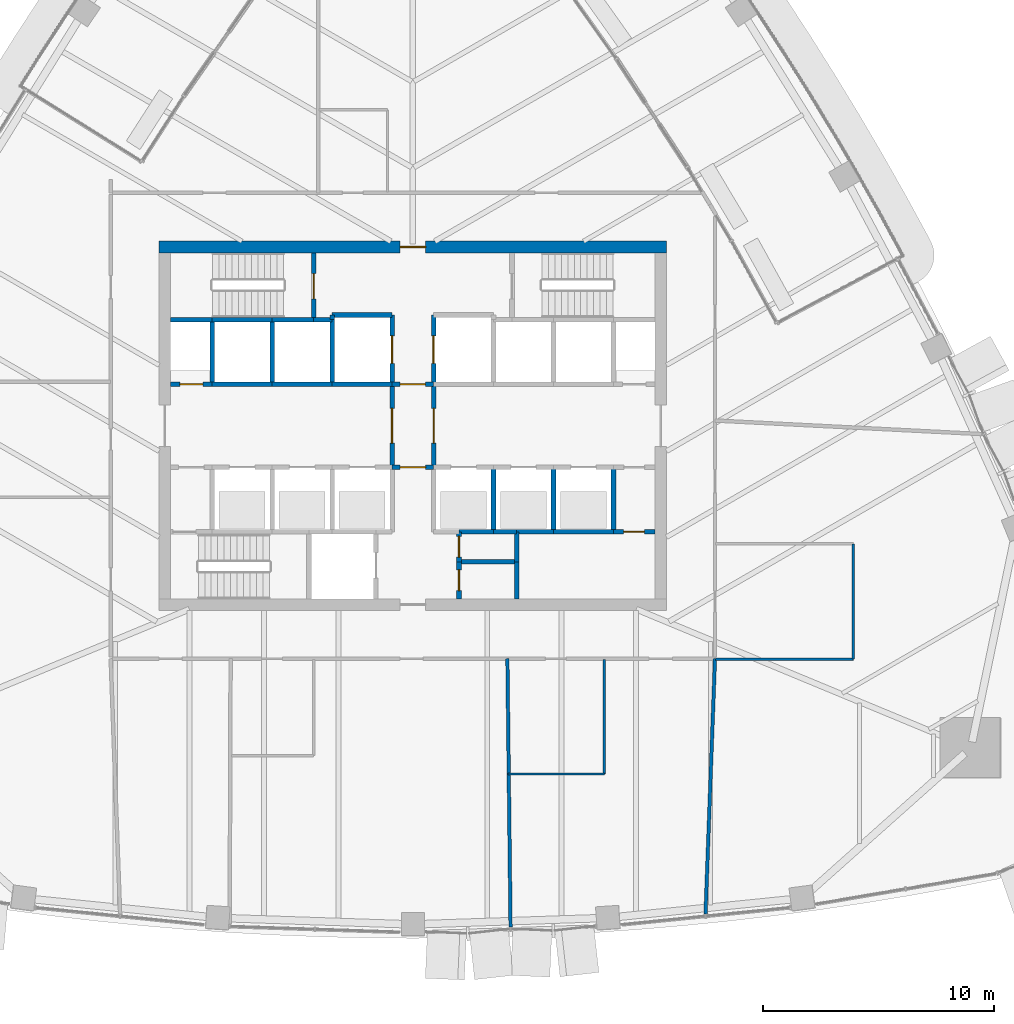
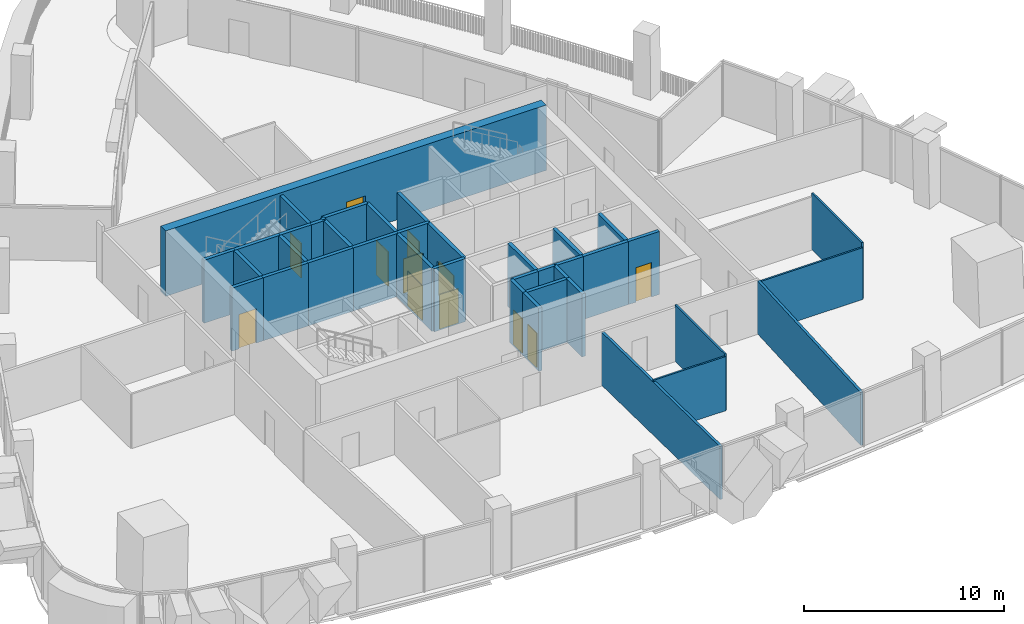
# One storey, part 14 of 21: 40 walls, 12 doors, 12 openings.
"""IFC4 building model written with IfcOpenShell, lengths in metres."""

from ifc_helpers import new_model, si_unit, direction, frame, frame_2d, origin, place, context, subcontext, project, spatial, rectangle, extrude, material, layer, layer_set, type_object, element, fill, save


model = new_model("IFC4")

# Units and contexts
model_context = context("Model", 3, precision=1e-05, world=origin(), true_north=direction((0.0, 1.0)))
body_context = subcontext(model_context, "Body", "Model", "MODEL_VIEW")
ifc_project = project(units=[si_unit("LENGTHUNIT", "METRE"), si_unit("AREAUNIT", "SQUARE_METRE"), si_unit("VOLUMEUNIT", "CUBIC_METRE"), si_unit("PLANEANGLEUNIT", "RADIAN"), si_unit("MASSUNIT", "GRAM", prefix="KILO")], contexts=[model_context])

# Site, building, storey
site_placement = place(None, origin())
site = spatial("IfcSite", under=ifc_project, at=site_placement, CompositionType="ELEMENT")
building_placement = place(site_placement, origin())
building = spatial("IfcBuilding", under=site, at=building_placement, Name="Sierra Prisma Convention Tower", CompositionType="ELEMENT")
storey_placement = place(building_placement, frame((0.0, 0.0, 157.800048828125)))
storey = spatial("IfcBuildingStorey", under=building, at=storey_placement, Name="L34", CompositionType="ELEMENT", Elevation=157.800048828125)

# Walls
ifc_material_1 = material(Name="Gypsum board partition", Category="gypsum")
ifc_layer_1 = layer(ifc_material_1, 0.10009765625)
ifc_layer_set_1 = layer_set([ifc_layer_1], Name="Bathroom partition 100")
wall_type_1 = type_object("IfcWallType", Name="Bathroom partition 100", PredefinedType="PARTITIONING", material=ifc_layer_set_1)
wall_1_placement = place(storey_placement, frame((8.300048828125, -10.1298828125, 0.0), z_axis=(0.0, 0.0, 1.0), x_axis=(0.0, -1.0, 0.0)))
element("IfcWall", 1, at=wall_1_placement, inside=storey, type_object=wall_type_1, Name="Partition L34 bath 7", PredefinedType="PARTITIONING", context=body_context, shape_type="SweptSolid", body=[
    extrude(rectangle(XDim=4.97021484375, YDim=0.10009765625, at=frame_2d((2.485107421875, 0.0))), origin(), (0.0, 0.0, 1.0), 3.449951171875),
])
wall_2_placement = place(storey_placement, frame((8.300048828125, -15.10009765625, 0.0), z_axis=(0.0, 0.0, 1.0), x_axis=(-1.0, 0.0, 0.0)))
element("IfcWall", 2, at=wall_2_placement, inside=storey, type_object=wall_type_1, Name="Partition L34 bath 8", PredefinedType="PARTITIONING", context=body_context, shape_type="SweptSolid", body=[
    extrude(rectangle(XDim=4.170166015625, YDim=0.10009765625, at=frame_2d((2.0849609375, 0.0))), origin(), (0.0, 0.0, 1.0), 3.31689453125),
])
wall_3_placement = place(storey_placement, frame((19.10009765625, -5.1201171875, 0.0), z_axis=(0.0, 0.0, 1.0), x_axis=(0.0, -1.0, 0.0)))
element("IfcWall", 3, at=wall_3_placement, inside=storey, type_object=wall_type_1, Name="Partition L34 bath 10", PredefinedType="PARTITIONING", context=body_context, shape_type="SweptSolid", body=[
    extrude(rectangle(XDim=5.0, YDim=0.10009765625, at=frame_2d((2.5, 0.0))), origin(), (0.0, 0.0, 1.0), 3.449951171875),
])
wall_4_placement = place(storey_placement, frame((19.10009765625, -10.1201171875, 0.0), z_axis=(0.0, 0.0, 1.0), x_axis=(-1.0, 0.0, 0.0)))
element("IfcWall", 4, at=wall_4_placement, inside=storey, type_object=wall_type_1, Name="Partition L34 bath 11", PredefinedType="PARTITIONING", context=body_context, shape_type="SweptSolid", body=[
    extrude(rectangle(XDim=5.97021484375, YDim=0.10009765625, at=frame_2d((2.985107421875, 0.0))), origin(), (0.0, 0.0, 1.0), 3.166015625),
])

# Wall, opening, door
ifc_material_2 = material(Name="Concrete C30/37", Category="concrete")
ifc_layer_2 = layer(ifc_material_2, 0.199951171875)
ifc_layer_set_2 = layer_set([ifc_layer_2], Name="Core wall RC 200 C30/37")
wall_type_2 = type_object("IfcWallType", Name="Core wall RC 200 C30/37", PredefinedType="SOLIDWALL", material=ifc_layer_set_2)
wall_5_placement = place(storey_placement, frame((-8.699951171875, 1.800048828125, 0.0), z_axis=(0.0, 0.0, 1.0), x_axis=(-1.0, 0.0, 0.0)))
wall_5 = element("IfcWall", 5, at=wall_5_placement, inside=storey, type_object=wall_type_2, Name="Core wall L34 3", PredefinedType="SOLIDWALL", context=body_context, shape_type="SweptSolid", body=[
    extrude(rectangle(XDim=1.800048828125, YDim=0.199951171875, at=frame_2d((0.89990234375, 0.0))), origin(), (0.0, 0.0, 1.0), 3.849853515625),
])
opening_1_placement = place(wall_5_placement, frame((0.39990234375, 0.0, 0.0)))
opening_1 = element("IfcOpeningElement", 6, at=opening_1_placement, cuts=wall_5, Name="Opening L34-D018", PredefinedType="OPENING", context=body_context, shape_type="SweptSolid", body=[
    extrude(rectangle(XDim=1.0, YDim=2.10009765625, at=frame_2d((0.5, 1.050048828125))), frame((0.0, 0.10009765625, 0.0), z_axis=(0.0, -1.0, 0.0), x_axis=(1.0, 0.0, 0.0)), (0.0, 0.0, 1.0), 0.199951171875),
])
ifc_material_3 = material(Name="Steel fire door leaf", Category="steel")
door_type_1 = type_object("IfcDoorType", Name="Door 1000x2100 FD60S", OperationType="SINGLE_SWING_LEFT", PredefinedType="DOOR", material=ifc_material_3)
door_1_placement = place(opening_1_placement, origin())
door_1 = element("IfcDoor", 7, at=door_1_placement, inside=storey, type_object=door_type_1, Name="Door L34 29", OperationType="SINGLE_SWING_LEFT", OverallHeight=2.10009765625, OverallWidth=1.0, PredefinedType="DOOR", context=body_context, shape_type="SweptSolid", body=[
    extrude(rectangle(XDim=1.0, YDim=2.10009765625, at=frame_2d((0.5, 1.050048828125))), frame((0.0, 0.02490234375, 0.0), z_axis=(0.0, -1.0, 0.0), x_axis=(1.0, 0.0, 0.0)), (0.0, 0.0, 1.0), 0.050048828125),
])
fill(opening_1, door_1)

# Walls
wall_6_placement = place(storey_placement, frame((-8.699951171875, 4.60009765625, 0.0), z_axis=(0.0, 0.0, 1.0), x_axis=(-1.0, 0.0, 0.0)))
element("IfcWall", 8, at=wall_6_placement, inside=storey, type_object=wall_type_2, Name="Core wall L34 4", PredefinedType="SOLIDWALL", context=body_context, shape_type="SweptSolid", body=[
    extrude(rectangle(XDim=1.800048828125, YDim=0.199951171875, at=frame_2d((0.89990234375, 0.0))), origin(), (0.0, 0.0, 1.0), 3.849853515625),
])
wall_7_placement = place(storey_placement, frame((-6.10009765625, 1.800048828125, 0.0), z_axis=(0.0, 0.0, 1.0), x_axis=(-1.0, 0.0, 0.0)))
element("IfcWall", 9, at=wall_7_placement, inside=storey, type_object=wall_type_2, Name="Core wall L34 8", PredefinedType="SOLIDWALL", context=body_context, shape_type="SweptSolid", body=[
    extrude(rectangle(XDim=2.599853515625, YDim=0.199951171875, at=frame_2d((1.2998046875, 0.0))), origin(), (0.0, 0.0, 1.0), 3.849853515625),
])
wall_8_placement = place(storey_placement, frame((-8.699951171875, 1.800048828125, 0.0), z_axis=(0.0, 0.0, 1.0), x_axis=(0.0, 1.0, 0.0)))
element("IfcWall", 10, at=wall_8_placement, inside=storey, type_object=wall_type_2, Name="Core wall L34 9", PredefinedType="SOLIDWALL", context=body_context, shape_type="SweptSolid", body=[
    extrude(rectangle(XDim=2.800048828125, YDim=0.199951171875, at=frame_2d((1.39990234375, 0.0))), origin(), (0.0, 0.0, 1.0), 3.849853515625),
])
wall_9_placement = place(storey_placement, frame((-6.10009765625, 4.60009765625, 0.0), z_axis=(0.0, 0.0, 1.0), x_axis=(-1.0, 0.0, 0.0)))
element("IfcWall", 11, at=wall_9_placement, inside=storey, type_object=wall_type_2, Name="Core wall L34 10", PredefinedType="SOLIDWALL", context=body_context, shape_type="SweptSolid", body=[
    extrude(rectangle(XDim=2.599853515625, YDim=0.199951171875, at=frame_2d((1.2998046875, 0.0))), origin(), (0.0, 0.0, 1.0), 3.849853515625),
])
wall_10_placement = place(storey_placement, frame((-3.5, 1.800048828125, 0.0), z_axis=(0.0, 0.0, 1.0), x_axis=(-1.0, 0.0, 0.0)))
element("IfcWall", 12, at=wall_10_placement, inside=storey, type_object=wall_type_2, Name="Core wall L34 14", PredefinedType="SOLIDWALL", context=body_context, shape_type="SweptSolid", body=[
    extrude(rectangle(XDim=2.60009765625, YDim=0.199951171875, at=frame_2d((1.300048828125, 0.0))), origin(), (0.0, 0.0, 1.0), 3.849853515625),
])
wall_11_placement = place(storey_placement, frame((-6.10009765625, 1.800048828125, 0.0), z_axis=(0.0, 0.0, 1.0), x_axis=(0.0, 1.0, 0.0)))
element("IfcWall", 13, at=wall_11_placement, inside=storey, type_object=wall_type_2, Name="Core wall L34 15", PredefinedType="SOLIDWALL", context=body_context, shape_type="SweptSolid", body=[
    extrude(rectangle(XDim=2.800048828125, YDim=0.199951171875, at=frame_2d((1.39990234375, 0.0))), origin(), (0.0, 0.0, 1.0), 3.849853515625),
])
wall_12_placement = place(storey_placement, frame((-4.300048828125, 4.60009765625, 0.0), z_axis=(0.0, 0.0, 1.0), x_axis=(-1.0, 0.0, 0.0)))
element("IfcWall", 14, at=wall_12_placement, inside=storey, type_object=wall_type_2, Name="Core wall L34 16", PredefinedType="SOLIDWALL", context=body_context, shape_type="SweptSolid", body=[
    extrude(rectangle(XDim=1.800048828125, YDim=0.199951171875, at=frame_2d((0.89990234375, 0.0))), origin(), (0.0, 0.0, 1.0), 3.849853515625),
])
wall_13_placement = place(storey_placement, frame((-3.5, 4.60009765625, 0.0), z_axis=(0.0, 0.0, 1.0), x_axis=(-1.0, 0.0, 0.0)))
element("IfcWall", 15, at=wall_13_placement, inside=storey, type_object=wall_type_2, Name="Core wall L34 19", PredefinedType="SOLIDWALL", context=body_context, shape_type="SweptSolid", body=[
    extrude(rectangle(XDim=0.800048828125, YDim=0.199951171875, at=frame_2d((0.39990234375, 0.0))), origin(), (0.0, 0.0, 1.0), 3.849853515625),
])

# Wall, opening, door
wall_14_placement = place(storey_placement, frame((-4.300048828125, 4.60009765625, 0.0), z_axis=(0.0, 0.0, 1.0), x_axis=(0.0, 1.0, 0.0)))
wall_14 = element("IfcWall", 16, at=wall_14_placement, inside=storey, type_object=wall_type_2, Name="Core wall L34 20", PredefinedType="SOLIDWALL", context=body_context, shape_type="SweptSolid", body=[
    extrude(rectangle(XDim=2.89990234375, YDim=0.199951171875, at=frame_2d((1.449951171875, 0.0))), origin(), (0.0, 0.0, 1.0), 3.849853515625),
])
opening_2_placement = place(wall_14_placement, frame((0.89990234375, 0.0, 0.0)))
opening_2 = element("IfcOpeningElement", 17, at=opening_2_placement, cuts=wall_14, Name="Opening L34-D021", PredefinedType="OPENING", context=body_context, shape_type="SweptSolid", body=[
    extrude(rectangle(XDim=1.10009765625, YDim=2.10009765625, at=frame_2d((0.550048828125, 1.050048828125))), frame((0.0, 0.10009765625, 0.0), z_axis=(0.0, -1.0, 0.0), x_axis=(1.0, 0.0, 0.0)), (0.0, 0.0, 1.0), 0.199951171875),
])
ifc_material_4 = material(Name="Steel fire door leaf", Category="steel")
door_type_2 = type_object("IfcDoorType", Name="Door 1100x2100 FD90S", OperationType="SINGLE_SWING_LEFT", PredefinedType="DOOR", material=ifc_material_4)
door_2_placement = place(opening_2_placement, origin())
door_2 = element("IfcDoor", 18, at=door_2_placement, inside=storey, type_object=door_type_2, Name="Door L34 32", OperationType="SINGLE_SWING_RIGHT", OverallHeight=2.10009765625, OverallWidth=1.10009765625, PredefinedType="DOOR", context=body_context, shape_type="SweptSolid", body=[
    extrude(rectangle(XDim=1.10009765625, YDim=2.10009765625, at=frame_2d((0.550048828125, 1.050048828125))), frame((0.0, 0.02490234375, 0.0), z_axis=(0.0, -1.0, 0.0), x_axis=(1.0, 0.0, 0.0)), (0.0, 0.0, 1.0), 0.050048828125),
])
fill(opening_2, door_2)

# Walls
wall_15_placement = place(storey_placement, frame((-0.89990234375, 1.800048828125, 0.0), z_axis=(0.0, 0.0, 1.0), x_axis=(-1.0, 0.0, 0.0)))
element("IfcWall", 19, at=wall_15_placement, inside=storey, type_object=wall_type_2, Name="Core wall L34 24", PredefinedType="SOLIDWALL", context=body_context, shape_type="SweptSolid", body=[
    extrude(rectangle(XDim=2.60009765625, YDim=0.199951171875, at=frame_2d((1.300048828125, 0.0))), origin(), (0.0, 0.0, 1.0), 3.849853515625),
])
wall_16_placement = place(storey_placement, frame((-3.5, 4.60009765625, 0.0), z_axis=(0.0, 0.0, 1.0), x_axis=(0.0, -1.0, 0.0)))
element("IfcWall", 20, at=wall_16_placement, inside=storey, type_object=wall_type_2, Name="Core wall L34 25", PredefinedType="SOLIDWALL", context=body_context, shape_type="SweptSolid", body=[
    extrude(rectangle(XDim=2.800048828125, YDim=0.199951171875, at=frame_2d((1.39990234375, 0.0))), origin(), (0.0, 0.0, 1.0), 3.849853515625),
])

# Wall, opening, door
wall_17_placement = place(storey_placement, frame((-0.89990234375, 1.800048828125, 0.0), z_axis=(0.0, 0.0, 1.0), x_axis=(0.0, 1.0, 0.0)))
wall_17 = element("IfcWall", 21, at=wall_17_placement, inside=storey, type_object=wall_type_2, Name="Core wall L34 26", PredefinedType="SOLIDWALL", context=body_context, shape_type="SweptSolid", body=[
    extrude(rectangle(XDim=3.0, YDim=0.199951171875, at=frame_2d((1.5, 0.0))), origin(), (0.0, 0.0, 1.0), 3.849853515625),
])
opening_3_placement = place(wall_17_placement, frame((0.89990234375, 0.0, 0.0)))
opening_3 = element("IfcOpeningElement", 22, at=opening_3_placement, cuts=wall_17, Name="Opening L34-D010", PredefinedType="OPENING", context=body_context, shape_type="SweptSolid", body=[
    extrude(rectangle(XDim=1.199951171875, YDim=2.10009765625, at=frame_2d((0.60009765625, 1.050048828125))), frame((0.0, 0.10009765625, 0.0), z_axis=(0.0, -1.0, 0.0), x_axis=(1.0, 0.0, 0.0)), (0.0, 0.0, 1.0), 0.199951171875),
])
ifc_material_5 = material(Name="Steel fire door leaf", Category="steel")
door_type_3 = type_object("IfcDoorType", Name="Door 1200x2100 EI 90 sliding lift landing", OperationType="SLIDING_TO_LEFT", PredefinedType="DOOR", material=ifc_material_5)
door_3_placement = place(opening_3_placement, origin())
door_3 = element("IfcDoor", 23, at=door_3_placement, inside=storey, type_object=door_type_3, Name="Door L34 21", OperationType="SLIDING_TO_LEFT", OverallHeight=2.10009765625, OverallWidth=1.199951171875, PredefinedType="DOOR", context=body_context, shape_type="SweptSolid", body=[
    extrude(rectangle(XDim=1.199951171875, YDim=2.10009765625, at=frame_2d((0.60009765625, 1.050048828125))), frame((0.0, 0.02490234375, 0.0), z_axis=(0.0, -1.0, 0.0), x_axis=(1.0, 0.0, 0.0)), (0.0, 0.0, 1.0), 0.050048828125),
])
fill(opening_3, door_3)

# Walls
wall_18_placement = place(storey_placement, frame((-0.89990234375, 4.800048828125, 0.0), z_axis=(0.0, 0.0, 1.0), x_axis=(-1.0, 0.0, 0.0)))
element("IfcWall", 24, at=wall_18_placement, inside=storey, type_object=wall_type_2, Name="Core wall L34 27", PredefinedType="SOLIDWALL", context=body_context, shape_type="SweptSolid", body=[
    extrude(rectangle(XDim=2.60009765625, YDim=0.199951171875, at=frame_2d((1.300048828125, 0.0))), origin(), (0.0, 0.0, 1.0), 3.849853515625),
])
wall_19_placement = place(storey_placement, frame((-3.5, 4.800048828125, 0.0), z_axis=(0.0, 0.0, 1.0), x_axis=(0.0, -1.0, 0.0)))
element("IfcWall", 25, at=wall_19_placement, inside=storey, type_object=wall_type_2, Name="Core wall L34 28", PredefinedType="SOLIDWALL", context=body_context, shape_type="SweptSolid", body=[
    extrude(rectangle(XDim=0.199951171875, YDim=0.199951171875, at=frame_2d((0.10009765625, 0.0))), origin(), (0.0, 0.0, 1.0), 3.849853515625),
])

# Wall, opening, door
wall_20_placement = place(storey_placement, frame((-0.89990234375, -1.800048828125, 0.0), z_axis=(0.0, 0.0, 1.0), x_axis=(1.0, 0.0, 0.0)))
wall_20 = element("IfcWall", 26, at=wall_20_placement, inside=storey, type_object=wall_type_2, Name="Core wall L34 32", PredefinedType="SOLIDWALL", context=body_context, shape_type="SweptSolid", body=[
    extrude(rectangle(XDim=1.7998046875, YDim=0.199951171875, at=frame_2d((0.89990234375, 0.0))), origin(), (0.0, 0.0, 1.0), 3.849853515625),
])
opening_4_placement = place(wall_20_placement, frame((0.35009765625, 0.0, 0.0)))
opening_4 = element("IfcOpeningElement", 27, at=opening_4_placement, cuts=wall_20, Name="Opening L34-D017", PredefinedType="OPENING", context=body_context, shape_type="SweptSolid", body=[
    extrude(rectangle(XDim=1.10009765625, YDim=2.10009765625, at=frame_2d((0.550048828125, 1.050048828125))), frame((0.0, 0.10009765625, 0.0), z_axis=(0.0, -1.0, 0.0), x_axis=(1.0, 0.0, 0.0)), (0.0, 0.0, 1.0), 0.199951171875),
])
ifc_material_6 = material(Name="Steel fire door leaf", Category="steel")
door_type_4 = type_object("IfcDoorType", Name="Door 1100x2100 FD30S", OperationType="SINGLE_SWING_LEFT", PredefinedType="DOOR", material=ifc_material_6)
door_4_placement = place(opening_4_placement, origin())
door_4 = element("IfcDoor", 28, at=door_4_placement, inside=storey, type_object=door_type_4, Name="Door L34 28", OperationType="SINGLE_SWING_RIGHT", OverallHeight=2.10009765625, OverallWidth=1.10009765625, PredefinedType="DOOR", context=body_context, shape_type="SweptSolid", body=[
    extrude(rectangle(XDim=1.10009765625, YDim=2.10009765625, at=frame_2d((0.550048828125, 1.050048828125))), frame((0.0, 0.02490234375, 0.0), z_axis=(0.0, -1.0, 0.0), x_axis=(1.0, 0.0, 0.0)), (0.0, 0.0, 1.0), 0.050048828125),
])
fill(opening_4, door_4)

wall_21_placement = place(storey_placement, frame((-0.89990234375, 1.800048828125, 0.0), z_axis=(0.0, 0.0, 1.0), x_axis=(0.0, -1.0, 0.0)))
wall_21 = element("IfcWall", 29, at=wall_21_placement, inside=storey, type_object=wall_type_2, Name="Core wall L34 33", PredefinedType="SOLIDWALL", context=body_context, shape_type="SweptSolid", body=[
    extrude(rectangle(XDim=3.60009765625, YDim=0.199951171875, at=frame_2d((1.800048828125, 0.0))), origin(), (0.0, 0.0, 1.0), 3.849853515625),
])
opening_5_placement = place(wall_21_placement, frame((1.050048828125, 0.0, 0.0)))
opening_5 = element("IfcOpeningElement", 30, at=opening_5_placement, cuts=wall_21, Name="Opening L34-D013", PredefinedType="OPENING", context=body_context, shape_type="SweptSolid", body=[
    extrude(rectangle(XDim=1.5, YDim=2.10009765625, at=frame_2d((0.75, 1.050048828125))), frame((0.0, 0.10009765625, 0.0), z_axis=(0.0, -1.0, 0.0), x_axis=(1.0, 0.0, 0.0)), (0.0, 0.0, 1.0), 0.199951171875),
])
ifc_material_7 = material(Name="Steel fire door leaf", Category="steel")
door_type_5 = type_object("IfcDoorType", Name="Door 1500x2100 FD30S", OperationType="DOUBLE_DOOR_SINGLE_SWING", PredefinedType="DOOR", material=ifc_material_7)
door_5_placement = place(opening_5_placement, origin())
door_5 = element("IfcDoor", 31, at=door_5_placement, inside=storey, type_object=door_type_5, Name="Door L34 24", OperationType="DOUBLE_DOOR_SINGLE_SWING", OverallHeight=2.10009765625, OverallWidth=1.5, PredefinedType="DOOR", context=body_context, shape_type="SweptSolid", body=[
    extrude(rectangle(XDim=1.5, YDim=2.10009765625, at=frame_2d((0.75, 1.050048828125))), frame((0.0, 0.02490234375, 0.0), z_axis=(0.0, -1.0, 0.0), x_axis=(1.0, 0.0, 0.0)), (0.0, 0.0, 1.0), 0.050048828125),
])
fill(opening_5, door_5)

wall_22_placement = place(storey_placement, frame((0.89990234375, 1.800048828125, 0.0), z_axis=(0.0, 0.0, 1.0), x_axis=(-1.0, 0.0, 0.0)))
wall_22 = element("IfcWall", 32, at=wall_22_placement, inside=storey, type_object=wall_type_2, Name="Core wall L34 34", PredefinedType="SOLIDWALL", context=body_context, shape_type="SweptSolid", body=[
    extrude(rectangle(XDim=1.7998046875, YDim=0.199951171875, at=frame_2d((0.89990234375, 0.0))), origin(), (0.0, 0.0, 1.0), 3.849853515625),
])
opening_6_placement = place(wall_22_placement, frame((0.35009765625, 0.0, 0.0)))
opening_6 = element("IfcOpeningElement", 33, at=opening_6_placement, cuts=wall_22, Name="Opening L34-D016", PredefinedType="OPENING", context=body_context, shape_type="SweptSolid", body=[
    extrude(rectangle(XDim=1.10009765625, YDim=2.10009765625, at=frame_2d((0.550048828125, 1.050048828125))), frame((0.0, 0.10009765625, 0.0), z_axis=(0.0, -1.0, 0.0), x_axis=(1.0, 0.0, 0.0)), (0.0, 0.0, 1.0), 0.199951171875),
])
ifc_material_8 = material(Name="Steel fire door leaf", Category="steel")
door_type_6 = type_object("IfcDoorType", Name="Door 1100x2100 FD60S", OperationType="SINGLE_SWING_LEFT", PredefinedType="DOOR", material=ifc_material_8)
door_6_placement = place(opening_6_placement, origin())
door_6 = element("IfcDoor", 34, at=door_6_placement, inside=storey, type_object=door_type_6, Name="Door L34 27", OperationType="SINGLE_SWING_RIGHT", OverallHeight=2.10009765625, OverallWidth=1.10009765625, PredefinedType="DOOR", context=body_context, shape_type="SweptSolid", body=[
    extrude(rectangle(XDim=1.10009765625, YDim=2.10009765625, at=frame_2d((0.550048828125, 1.050048828125))), frame((0.0, 0.02490234375, 0.0), z_axis=(0.0, -1.0, 0.0), x_axis=(1.0, 0.0, 0.0)), (0.0, 0.0, 1.0), 0.050048828125),
])
fill(opening_6, door_6)

wall_23_placement = place(storey_placement, frame((0.89990234375, -1.800048828125, 0.0), z_axis=(0.0, 0.0, 1.0), x_axis=(0.0, 1.0, 0.0)))
wall_23 = element("IfcWall", 35, at=wall_23_placement, inside=storey, type_object=wall_type_2, Name="Core wall L34 36", PredefinedType="SOLIDWALL", context=body_context, shape_type="SweptSolid", body=[
    extrude(rectangle(XDim=3.60009765625, YDim=0.199951171875, at=frame_2d((1.800048828125, 0.0))), origin(), (0.0, 0.0, 1.0), 3.849853515625),
])
opening_7_placement = place(wall_23_placement, frame((1.050048828125, 0.0, 0.0)))
opening_7 = element("IfcOpeningElement", 36, at=opening_7_placement, cuts=wall_23, Name="Opening L34-D014", PredefinedType="OPENING", context=body_context, shape_type="SweptSolid", body=[
    extrude(rectangle(XDim=1.5, YDim=2.10009765625, at=frame_2d((0.75, 1.050048828125))), frame((0.0, 0.10009765625, 0.0), z_axis=(0.0, -1.0, 0.0), x_axis=(1.0, 0.0, 0.0)), (0.0, 0.0, 1.0), 0.199951171875),
])
door_7_placement = place(opening_7_placement, origin())
door_7 = element("IfcDoor", 37, at=door_7_placement, inside=storey, type_object=door_type_5, Name="Door L34 25", OperationType="DOUBLE_DOOR_SINGLE_SWING", OverallHeight=2.10009765625, OverallWidth=1.5, PredefinedType="DOOR", context=body_context, shape_type="SweptSolid", body=[
    extrude(rectangle(XDim=1.5, YDim=2.10009765625, at=frame_2d((0.75, 1.050048828125))), frame((0.0, 0.02490234375, 0.0), z_axis=(0.0, -1.0, 0.0), x_axis=(1.0, 0.0, 0.0)), (0.0, 0.0, 1.0), 0.050048828125),
])
fill(opening_7, door_7)

wall_24_placement = place(storey_placement, frame((0.89990234375, 4.800048828125, 0.0), z_axis=(0.0, 0.0, 1.0), x_axis=(0.0, -1.0, 0.0)))
wall_24 = element("IfcWall", 38, at=wall_24_placement, inside=storey, type_object=wall_type_2, Name="Core wall L34 42", PredefinedType="SOLIDWALL", context=body_context, shape_type="SweptSolid", body=[
    extrude(rectangle(XDim=3.0, YDim=0.199951171875, at=frame_2d((1.5, 0.0))), origin(), (0.0, 0.0, 1.0), 3.849853515625),
])
opening_8_placement = place(wall_24_placement, frame((0.89990234375, 0.0, 0.0)))
opening_8 = element("IfcOpeningElement", 39, at=opening_8_placement, cuts=wall_24, Name="Opening L34-D011", PredefinedType="OPENING", context=body_context, shape_type="SweptSolid", body=[
    extrude(rectangle(XDim=1.199951171875, YDim=2.10009765625, at=frame_2d((0.60009765625, 1.050048828125))), frame((0.0, 0.10009765625, 0.0), z_axis=(0.0, -1.0, 0.0), x_axis=(1.0, 0.0, 0.0)), (0.0, 0.0, 1.0), 0.199951171875),
])
door_8_placement = place(opening_8_placement, origin())
door_8 = element("IfcDoor", 40, at=door_8_placement, inside=storey, type_object=door_type_3, Name="Door L34 22", OperationType="SLIDING_TO_RIGHT", OverallHeight=2.10009765625, OverallWidth=1.199951171875, PredefinedType="DOOR", context=body_context, shape_type="SweptSolid", body=[
    extrude(rectangle(XDim=1.199951171875, YDim=2.10009765625, at=frame_2d((0.60009765625, 1.050048828125))), frame((0.0, 0.02490234375, 0.0), z_axis=(0.0, -1.0, 0.0), x_axis=(1.0, 0.0, 0.0)), (0.0, 0.0, 1.0), 0.050048828125),
])
fill(opening_8, door_8)

wall_25_placement = place(storey_placement, frame((2.0, -5.89990234375, 0.0), z_axis=(0.0, 0.0, 1.0), x_axis=(0.0, -1.0, 0.0)))
wall_25 = element("IfcWall", 41, at=wall_25_placement, inside=storey, type_object=wall_type_2, Name="Core wall L34 43", PredefinedType="SOLIDWALL", context=body_context, shape_type="SweptSolid", body=[
    extrude(rectangle(XDim=1.60009765625, YDim=0.199951171875, at=frame_2d((0.800048828125, 0.0))), origin(), (0.0, 0.0, 1.0), 3.849853515625),
])
opening_9_placement = place(wall_25_placement, frame((0.35009765625, 0.0, 0.0)))
opening_9 = element("IfcOpeningElement", 42, at=opening_9_placement, cuts=wall_25, Name="Opening L34-D025", PredefinedType="OPENING", context=body_context, shape_type="SweptSolid", body=[
    extrude(rectangle(XDim=0.89990234375, YDim=2.10009765625, at=frame_2d((0.449951171875, 1.050048828125))), frame((0.0, 0.10009765625, 0.0), z_axis=(0.0, -1.0, 0.0), x_axis=(1.0, 0.0, 0.0)), (0.0, 0.0, 1.0), 0.199951171875),
])
ifc_material_9 = material(Name="Steel fire door leaf", Category="steel")
door_type_7 = type_object("IfcDoorType", Name="Door 900x2100 FD30S", OperationType="SINGLE_SWING_LEFT", PredefinedType="DOOR", material=ifc_material_9)
door_9_placement = place(opening_9_placement, origin())
door_9 = element("IfcDoor", 43, at=door_9_placement, inside=storey, type_object=door_type_7, Name="Door L34 36", OperationType="SINGLE_SWING_LEFT", OverallHeight=2.10009765625, OverallWidth=0.89990234375, PredefinedType="DOOR", context=body_context, shape_type="SweptSolid", body=[
    extrude(rectangle(XDim=0.89990234375, YDim=2.10009765625, at=frame_2d((0.449951171875, 1.050048828125))), frame((0.0, 0.02490234375, 0.0), z_axis=(0.0, -1.0, 0.0), x_axis=(1.0, 0.0, 0.0)), (0.0, 0.0, 1.0), 0.050048828125),
])
fill(opening_9, door_9)

# Wall
wall_26_placement = place(storey_placement, frame((4.5, -5.89990234375, 0.0), z_axis=(0.0, 0.0, 1.0), x_axis=(-1.0, 0.0, 0.0)))
element("IfcWall", 44, at=wall_26_placement, inside=storey, type_object=wall_type_2, Name="Core wall L34 44", PredefinedType="SOLIDWALL", context=body_context, shape_type="SweptSolid", body=[
    extrude(rectangle(XDim=2.5, YDim=0.199951171875, at=frame_2d((1.25, 0.0))), origin(), (0.0, 0.0, 1.0), 3.849853515625),
])

# Wall, opening, door
wall_27_placement = place(storey_placement, frame((2.0, -4.60009765625, 0.0), z_axis=(0.0, 0.0, 1.0), x_axis=(0.0, -1.0, 0.0)))
wall_27 = element("IfcWall", 45, at=wall_27_placement, inside=storey, type_object=wall_type_2, Name="Core wall L34 45", PredefinedType="SOLIDWALL", context=body_context, shape_type="SweptSolid", body=[
    extrude(rectangle(XDim=1.2998046875, YDim=0.199951171875, at=frame_2d((0.64990234375, 0.0))), origin(), (0.0, 0.0, 1.0), 3.849853515625),
])
opening_10_placement = place(wall_27_placement, frame((0.199951171875, 0.0, 0.0)))
opening_10 = element("IfcOpeningElement", 46, at=opening_10_placement, cuts=wall_27, Name="Opening L34-D026", PredefinedType="OPENING", context=body_context, shape_type="SweptSolid", body=[
    extrude(rectangle(XDim=0.89990234375, YDim=2.10009765625, at=frame_2d((0.449951171875, 1.050048828125))), frame((0.0, 0.10009765625, 0.0), z_axis=(0.0, -1.0, 0.0), x_axis=(1.0, 0.0, 0.0)), (0.0, 0.0, 1.0), 0.199951171875),
])
door_10_placement = place(opening_10_placement, origin())
door_10 = element("IfcDoor", 47, at=door_10_placement, inside=storey, type_object=door_type_7, Name="Door L34 37", OperationType="SINGLE_SWING_RIGHT", OverallHeight=2.10009765625, OverallWidth=0.89990234375, PredefinedType="DOOR", context=body_context, shape_type="SweptSolid", body=[
    extrude(rectangle(XDim=0.89990234375, YDim=2.10009765625, at=frame_2d((0.449951171875, 1.050048828125))), frame((0.0, 0.02490234375, 0.0), z_axis=(0.0, -1.0, 0.0), x_axis=(1.0, 0.0, 0.0)), (0.0, 0.0, 1.0), 0.050048828125),
])
fill(opening_10, door_10)

# Walls
wall_28_placement = place(storey_placement, frame((3.5, -4.60009765625, 0.0), z_axis=(0.0, 0.0, 1.0), x_axis=(-1.0, 0.0, 0.0)))
element("IfcWall", 48, at=wall_28_placement, inside=storey, type_object=wall_type_2, Name="Core wall L34 46", PredefinedType="SOLIDWALL", context=body_context, shape_type="SweptSolid", body=[
    extrude(rectangle(XDim=1.5, YDim=0.199951171875, at=frame_2d((0.75, 0.0))), origin(), (0.0, 0.0, 1.0), 3.849853515625),
])
wall_29_placement = place(storey_placement, frame((4.5, -4.60009765625, 0.0), z_axis=(0.0, 0.0, 1.0), x_axis=(-1.0, 0.0, 0.0)))
element("IfcWall", 49, at=wall_29_placement, inside=storey, type_object=wall_type_2, Name="Core wall L34 47", PredefinedType="SOLIDWALL", context=body_context, shape_type="SweptSolid", body=[
    extrude(rectangle(XDim=1.0, YDim=0.199951171875, at=frame_2d((0.5, 0.0))), origin(), (0.0, 0.0, 1.0), 3.849853515625),
])
wall_30_placement = place(storey_placement, frame((3.5, -4.60009765625, 0.0), z_axis=(0.0, 0.0, 1.0), x_axis=(0.0, 1.0, 0.0)))
element("IfcWall", 50, at=wall_30_placement, inside=storey, type_object=wall_type_2, Name="Core wall L34 48", PredefinedType="SOLIDWALL", context=body_context, shape_type="SweptSolid", body=[
    extrude(rectangle(XDim=2.800048828125, YDim=0.199951171875, at=frame_2d((1.39990234375, 0.0))), origin(), (0.0, 0.0, 1.0), 3.849853515625),
])
wall_31_placement = place(storey_placement, frame((4.5, -5.89990234375, 0.0), z_axis=(0.0, 0.0, 1.0), x_axis=(0.0, -1.0, 0.0)))
element("IfcWall", 51, at=wall_31_placement, inside=storey, type_object=wall_type_2, Name="Core wall L34 55", PredefinedType="SOLIDWALL", context=body_context, shape_type="SweptSolid", body=[
    extrude(rectangle(XDim=1.60009765625, YDim=0.199951171875, at=frame_2d((0.800048828125, 0.0))), origin(), (0.0, 0.0, 1.0), 3.849853515625),
])
wall_32_placement = place(storey_placement, frame((4.5, -4.60009765625, 0.0), z_axis=(0.0, 0.0, 1.0), x_axis=(0.0, -1.0, 0.0)))
element("IfcWall", 52, at=wall_32_placement, inside=storey, type_object=wall_type_2, Name="Core wall L34 56", PredefinedType="SOLIDWALL", context=body_context, shape_type="SweptSolid", body=[
    extrude(rectangle(XDim=1.2998046875, YDim=0.199951171875, at=frame_2d((0.64990234375, 0.0))), origin(), (0.0, 0.0, 1.0), 3.849853515625),
])
wall_33_placement = place(storey_placement, frame((6.10009765625, -4.60009765625, 0.0), z_axis=(0.0, 0.0, 1.0), x_axis=(-1.0, 0.0, 0.0)))
element("IfcWall", 53, at=wall_33_placement, inside=storey, type_object=wall_type_2, Name="Core wall L34 57", PredefinedType="SOLIDWALL", context=body_context, shape_type="SweptSolid", body=[
    extrude(rectangle(XDim=1.60009765625, YDim=0.199951171875, at=frame_2d((0.800048828125, 0.0))), origin(), (0.0, 0.0, 1.0), 3.849853515625),
])
wall_34_placement = place(storey_placement, frame((8.699951171875, -4.60009765625, 0.0), z_axis=(0.0, 0.0, 1.0), x_axis=(-1.0, 0.0, 0.0)))
element("IfcWall", 54, at=wall_34_placement, inside=storey, type_object=wall_type_2, Name="Core wall L34 58", PredefinedType="SOLIDWALL", context=body_context, shape_type="SweptSolid", body=[
    extrude(rectangle(XDim=2.599853515625, YDim=0.199951171875, at=frame_2d((1.2998046875, 0.0))), origin(), (0.0, 0.0, 1.0), 3.849853515625),
])
wall_35_placement = place(storey_placement, frame((6.10009765625, -4.60009765625, 0.0), z_axis=(0.0, 0.0, 1.0), x_axis=(0.0, 1.0, 0.0)))
element("IfcWall", 55, at=wall_35_placement, inside=storey, type_object=wall_type_2, Name="Core wall L34 59", PredefinedType="SOLIDWALL", context=body_context, shape_type="SweptSolid", body=[
    extrude(rectangle(XDim=2.800048828125, YDim=0.199951171875, at=frame_2d((1.39990234375, 0.0))), origin(), (0.0, 0.0, 1.0), 3.849853515625),
])

# Wall, opening, door
wall_36_placement = place(storey_placement, frame((10.5, -4.60009765625, 0.0), z_axis=(0.0, 0.0, 1.0), x_axis=(-1.0, 0.0, 0.0)))
wall_36 = element("IfcWall", 56, at=wall_36_placement, inside=storey, type_object=wall_type_2, Name="Core wall L34 64", PredefinedType="SOLIDWALL", context=body_context, shape_type="SweptSolid", body=[
    extrude(rectangle(XDim=1.800048828125, YDim=0.199951171875, at=frame_2d((0.89990234375, 0.0))), origin(), (0.0, 0.0, 1.0), 3.849853515625),
])
opening_11_placement = place(wall_36_placement, frame((0.4599609375, 0.0, 0.0)))
opening_11 = element("IfcOpeningElement", 57, at=opening_11_placement, cuts=wall_36, Name="Opening L34-D023", PredefinedType="OPENING", context=body_context, shape_type="SweptSolid", body=[
    extrude(rectangle(XDim=0.89990234375, YDim=2.10009765625, at=frame_2d((0.449951171875, 1.050048828125))), frame((0.0, 0.10009765625, 0.0), z_axis=(0.0, -1.0, 0.0), x_axis=(1.0, 0.0, 0.0)), (0.0, 0.0, 1.0), 0.199951171875),
])
door_11_placement = place(opening_11_placement, origin())
door_11 = element("IfcDoor", 58, at=door_11_placement, inside=storey, type_object=door_type_7, Name="Door L34 34", OperationType="SINGLE_SWING_RIGHT", OverallHeight=2.10009765625, OverallWidth=0.89990234375, PredefinedType="DOOR", context=body_context, shape_type="SweptSolid", body=[
    extrude(rectangle(XDim=0.89990234375, YDim=2.10009765625, at=frame_2d((0.449951171875, 1.050048828125))), frame((0.0, 0.02490234375, 0.0), z_axis=(0.0, -1.0, 0.0), x_axis=(1.0, 0.0, 0.0)), (0.0, 0.0, 1.0), 0.050048828125),
])
fill(opening_11, door_11)

# Wall
wall_37_placement = place(storey_placement, frame((8.699951171875, -1.800048828125, 0.0), z_axis=(0.0, 0.0, 1.0), x_axis=(0.0, -1.0, 0.0)))
element("IfcWall", 59, at=wall_37_placement, inside=storey, type_object=wall_type_2, Name="Core wall L34 65", PredefinedType="SOLIDWALL", context=body_context, shape_type="SweptSolid", body=[
    extrude(rectangle(XDim=2.800048828125, YDim=0.199951171875, at=frame_2d((1.39990234375, 0.0))), origin(), (0.0, 0.0, 1.0), 3.849853515625),
])

# Wall, opening, door
ifc_material_10 = material(Name="Concrete C60/75", Category="concrete")
ifc_layer_3 = layer(ifc_material_10, 0.5)
ifc_layer_set_3 = layer_set([ifc_layer_3], Name="Core wall RC 500 C60/75")
wall_type_3 = type_object("IfcWallType", Name="Core wall RC 500 C60/75", PredefinedType="SHEAR", material=ifc_layer_set_3)
wall_38_placement = place(storey_placement, frame((-11.0, 7.75, 0.0), z_axis=(0.0, 0.0, 1.0), x_axis=(1.0, 0.0, 0.0)))
wall_38 = element("IfcWall", 60, at=wall_38_placement, inside=storey, type_object=wall_type_3, Name="Core wall N L34", PredefinedType="SHEAR", context=body_context, shape_type="SweptSolid", body=[
    extrude(rectangle(XDim=22.0, YDim=0.5, at=frame_2d((11.0, 0.0))), origin(), (0.0, 0.0, 1.0), 4.0),
])
opening_12_placement = place(wall_38_placement, frame((10.449951171875, 0.0, 0.0)))
opening_12 = element("IfcOpeningElement", 61, at=opening_12_placement, cuts=wall_38, Name="Opening L34-D042", PredefinedType="OPENING", context=body_context, shape_type="SweptSolid", body=[
    extrude(rectangle(XDim=1.10009765625, YDim=2.10009765625, at=frame_2d((0.550048828125, 1.050048828125))), frame((0.0, 0.25, 0.0), z_axis=(0.0, -1.0, 0.0), x_axis=(1.0, 0.0, 0.0)), (0.0, 0.0, 1.0), 0.5),
])
door_12_placement = place(opening_12_placement, origin())
door_12 = element("IfcDoor", 62, at=door_12_placement, inside=storey, type_object=door_type_6, Name="Door L34 40", OperationType="SINGLE_SWING_LEFT", OverallHeight=2.10009765625, OverallWidth=1.10009765625, PredefinedType="DOOR", context=body_context, shape_type="SweptSolid", body=[
    extrude(rectangle(XDim=1.10009765625, YDim=2.10009765625, at=frame_2d((0.550048828125, 1.050048828125))), frame((0.0, 0.02490234375, 0.0), z_axis=(0.0, -1.0, 0.0), x_axis=(1.0, 0.0, 0.0)), (0.0, 0.0, 1.0), 0.050048828125),
])
fill(opening_12, door_12)

# Walls
ifc_material_11 = material(Name="Gypsum board partition", Category="gypsum")
ifc_layer_4 = layer(ifc_material_11, 0.14990234375)
ifc_layer_set_4 = layer_set([ifc_layer_4], Name="Party wall 150 gypsum")
wall_type_4 = type_object("IfcWallType", Name="Party wall 150 gypsum", PredefinedType="PARTITIONING", material=ifc_layer_set_4)
wall_39_placement = place(storey_placement, frame((4.10009765625, -10.10009765625, 0.0), z_axis=(0.0, 0.0, 1.0), x_axis=(0.011799703395, -0.999930381077, 0.0)))
element("IfcWall", 63, at=wall_39_placement, inside=storey, type_object=wall_type_4, Name="Partition L34 party 6", PredefinedType="PARTITIONING", context=body_context, shape_type="SweptSolid", body=[
    extrude(rectangle(XDim=11.6279296875, YDim=0.14990234375, at=frame_2d((5.81396484375, 0.0))), origin(), (0.0, 0.0, 1.0), 3.23388671875),
])
wall_40_placement = place(storey_placement, frame((13.10009765625, -10.10009765625, 0.0), z_axis=(0.0, 0.0, 1.0), x_axis=(-0.037085915045, -0.999312080836, 0.0)))
element("IfcWall", 64, at=wall_40_placement, inside=storey, type_object=wall_type_4, Name="Partition L34 party 7", PredefinedType="PARTITIONING", context=body_context, shape_type="SweptSolid", body=[
    extrude(rectangle(XDim=11.066162109375, YDim=0.14990234375, at=frame_2d((5.533203125, 0.0))), origin(), (0.0, 0.0, 1.0), 3.23388671875),
])

save(model, "model.ifc")
